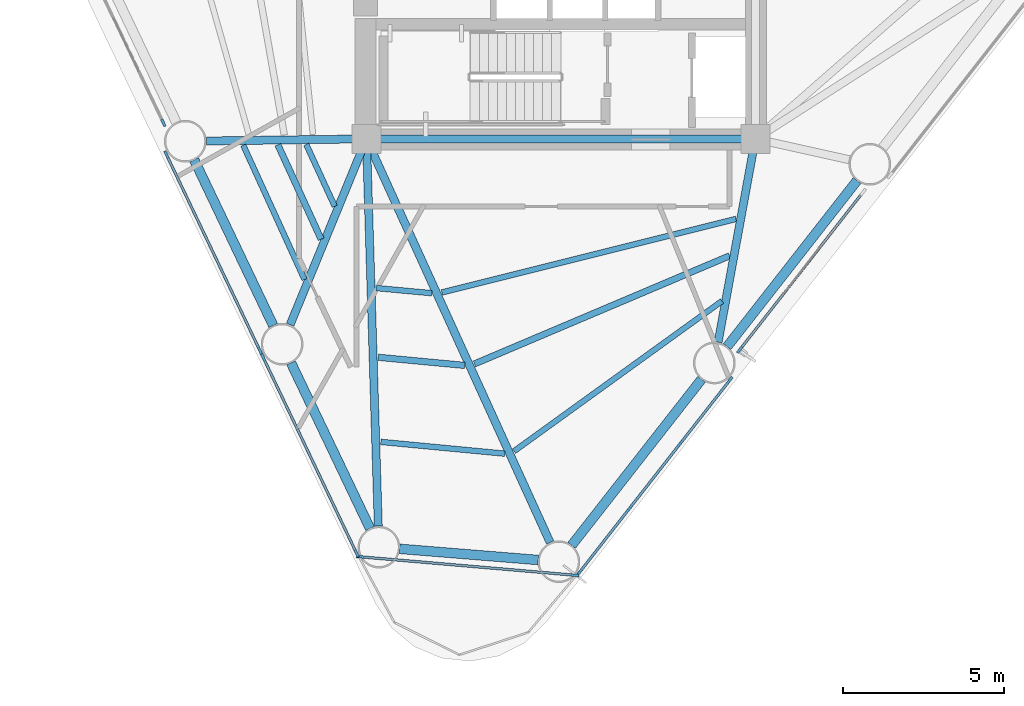
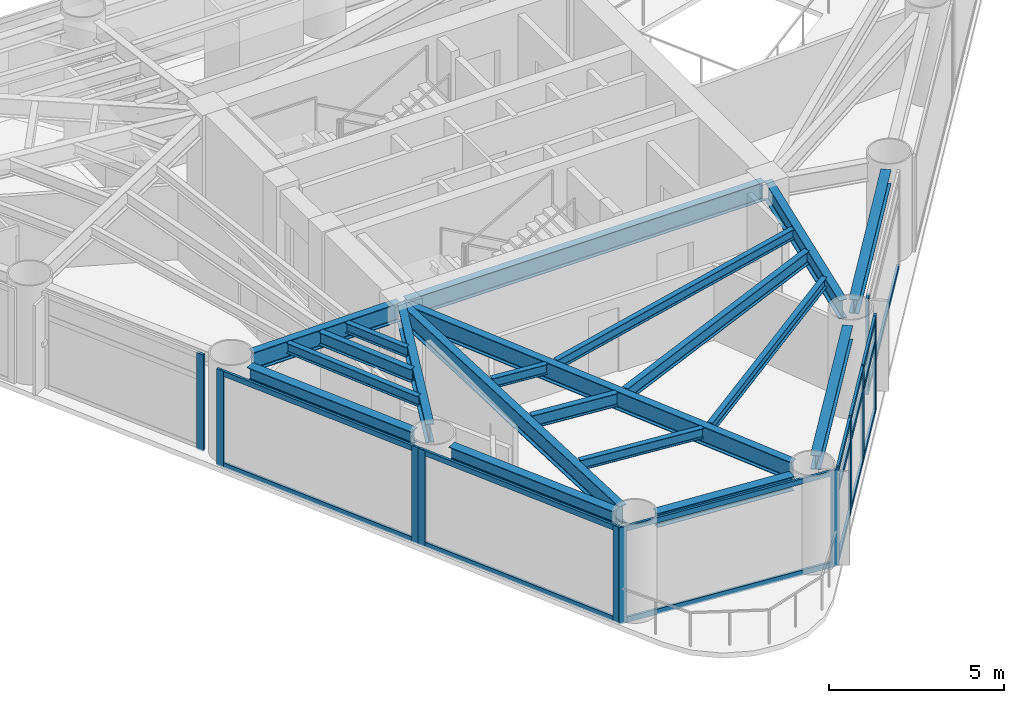
# One storey, part 2 of 10: 28 members, 20 beams, 6 elements without a shape of their own.
"""IFC4 building model written with IfcOpenShell, lengths in metres."""

from ifc_helpers import new_model, si_unit, direction, frame, origin, origin_2d, place, context, subcontext, project, spatial, rectangle, i_section, extrude, source, transform, mapped, material, layer, layer_set, material_profile, profile_set, type_object, element, aggregate, save


model = new_model("IFC4")

# Units and contexts
model_context = context("Model", 3, precision=1e-05, world=origin(), true_north=direction((0.0, 1.0)))
body_context = subcontext(model_context, "Body", "Model", "MODEL_VIEW")
ifc_project = project(units=[si_unit("LENGTHUNIT", "METRE"), si_unit("AREAUNIT", "SQUARE_METRE"), si_unit("VOLUMEUNIT", "CUBIC_METRE"), si_unit("PLANEANGLEUNIT", "RADIAN"), si_unit("MASSUNIT", "GRAM", prefix="KILO")], contexts=[model_context])

# Site, building, storey
site_placement = place(None, origin())
site = spatial("IfcSite", under=ifc_project, at=site_placement, CompositionType="ELEMENT")
building_placement = place(site_placement, origin())
building = spatial("IfcBuilding", under=site, at=building_placement, Name="Yunling Apex Tower", CompositionType="ELEMENT")
storey_placement = place(building_placement, frame((0.0, 0.0, 139.85009765625)))
storey = spatial("IfcBuildingStorey", under=building, at=storey_placement, Name="L34", CompositionType="ELEMENT", Elevation=139.85009765625)

# Beams
ifc_material_1 = material(Name="Steel Q355B", Category="steel")
ifc_material_profile_1 = material_profile(ifc_material_1, i_section(OverallWidth=0.25, OverallDepth=0.64990234375, WebThickness=0.011962890625, FlangeThickness=0.02001953125, FilletRadius=0.02392578125, at=origin_2d()))
ifc_profile_set_1 = profile_set([ifc_material_profile_1], Name="Steel Q355B")
beam_type_1 = type_object("IfcBeamType", Name="BG-PRI-4", PredefinedType="USERDEFINED", material=ifc_profile_set_1)
shared_shape_1 = source(origin(), body_context, "Body", "SweptSolid", [
    extrude(i_section(OverallWidth=0.25, OverallDepth=0.64990234375, WebThickness=0.011962890625, FlangeThickness=0.02001953125, FilletRadius=0.02392578125, at=origin_2d()), origin(), (0.0, 0.0, 1.0), 11.7998046875),
])
beam_1_placement = place(storey_placement, frame((-5.89990234375, -5.5, 2.94482421875), z_axis=(1.0, 0.0, 0.0), x_axis=(0.0, 1.0, 0.0)))
element("IfcBeam", 1, at=beam_1_placement, inside=storey, type_object=beam_type_1, Name="L34 Core Ring Tie Beam 1", ObjectType="GIRDER", PredefinedType="USERDEFINED", context=body_context, shape_type="MappedRepresentation", body=[
    mapped(shared_shape_1, transform((0.0, 0.0, 0.0), scale=1.0)),
])
ifc_material_profile_2 = material_profile(ifc_material_1, i_section(OverallWidth=0.300048828125, OverallDepth=0.489990234375, WebThickness=0.010986328125, FlangeThickness=0.01806640625, FilletRadius=0.02197265625, at=origin_2d()))
ifc_profile_set_2 = profile_set([ifc_material_profile_2], Name="Steel Q355B")
beam_type_2 = type_object("IfcBeamType", Name="BP-SPN-2", PredefinedType="SPANDREL", material=ifc_profile_set_2)
shared_shape_2 = source(origin(), body_context, "Body", "SweptSolid", [
    extrude(i_section(OverallWidth=0.300048828125, OverallDepth=0.489990234375, WebThickness=0.010986328125, FlangeThickness=0.01806640625, FilletRadius=0.02197265625, at=origin_2d()), origin(), (0.0, 0.0, 1.0), 6.562255859375),
])
for number, where, z_axis, x_axis, name in (
    (2, (0.332763671875, -18.147216796875, 3.02490234375), (0.616214963059, 0.787578008392, 0.0), (-0.787578008392, 0.616214963059, 0.0), "L34 Perimeter Spandrel Beam 1"),
    (3, (5.170166015625, -11.964599609375, 3.02490234375), (0.616214963059, 0.787578008392, 0.0), (-0.787578008392, 0.616214963059, 0.0), "L34 Perimeter Spandrel Beam 2"),
):
    element("IfcBeam", number, at=place(storey_placement, frame(where, z_axis=z_axis, x_axis=x_axis)), inside=storey, type_object=beam_type_2, Name=name, PredefinedType="SPANDREL", context=body_context, shape_type="MappedRepresentation", body=[
        mapped(shared_shape_2, transform((0.0, 0.0, 0.0), scale=1.0)),
    ])
shared_shape_3 = source(origin(), body_context, "Body", "SweptSolid", [
    extrude(i_section(OverallWidth=0.300048828125, OverallDepth=0.489990234375, WebThickness=0.010986328125, FlangeThickness=0.01806640625, FilletRadius=0.02197265625, at=origin_2d()), origin(), (0.0, 0.0, 1.0), 5.707763671875),
])
for number, where, z_axis, x_axis, name in (
    (4, (-11.407958984375, -6.15478515625, 3.02490234375), (0.430522919645, -0.902579645051, 0.0), (0.902579645051, 0.430522919645, 0.0), "L34 Perimeter Spandrel Beam 13"),
    (5, (-8.396240234375, -12.468994140625, 3.02490234375), (0.430522919645, -0.902579645051, 0.0), (0.902579645051, 0.430522919645, 0.0), "L34 Perimeter Spandrel Beam 14"),
):
    element("IfcBeam", number, at=place(storey_placement, frame(where, z_axis=z_axis, x_axis=x_axis)), inside=storey, type_object=beam_type_2, Name=name, PredefinedType="SPANDREL", context=body_context, shape_type="MappedRepresentation", body=[
        mapped(shared_shape_3, transform((0.0, 0.0, 0.0), scale=1.0)),
    ])
shared_shape_4 = source(origin(), body_context, "Body", "SweptSolid", [
    extrude(i_section(OverallWidth=0.300048828125, OverallDepth=0.489990234375, WebThickness=0.010986328125, FlangeThickness=0.01806640625, FilletRadius=0.02197265625, at=origin_2d()), origin(), (0.0, 0.0, 1.0), 4.328369140625),
])
beam_2_placement = place(storey_placement, frame((-5.02001953125, -18.25390625, 3.02490234375), z_axis=(0.996750747621, -0.08054779399, 0.0), x_axis=(0.08054779399, 0.996750747621, 0.0)))
element("IfcBeam", 6, at=beam_2_placement, inside=storey, type_object=beam_type_2, Name="L34 Perimeter Spandrel Beam 15", PredefinedType="SPANDREL", context=body_context, shape_type="MappedRepresentation", body=[
    mapped(shared_shape_4, transform((0.0, 0.0, 0.0), scale=1.0)),
])
shared_shape_5 = source(origin(), body_context, "Body", "SweptSolid", [
    extrude(i_section(OverallWidth=0.25, OverallDepth=0.64990234375, WebThickness=0.011962890625, FlangeThickness=0.02001953125, FilletRadius=0.02392578125, at=origin_2d()), origin(), (0.0, 0.0, 1.0), 13.714599609375),
])
beam_3_placement = place(storey_placement, frame((-0.33642578125, -18.0556640625, 2.94482421875), z_axis=(-0.414187834577, 0.910191429145, 0.0), x_axis=(-0.910191429145, -0.414187834577, 0.0)))
element("IfcBeam", 7, at=beam_3_placement, inside=storey, type_object=beam_type_1, Name="L34 Radial Primary Girder R01", ObjectType="GIRDER", PredefinedType="USERDEFINED", context=body_context, shape_type="MappedRepresentation", body=[
    mapped(shared_shape_5, transform((0.0, 0.0, 0.0), scale=1.0)),
])
shared_shape_6 = source(origin(), body_context, "Body", "SweptSolid", [
    extrude(i_section(OverallWidth=0.25, OverallDepth=0.64990234375, WebThickness=0.011962890625, FlangeThickness=0.02001953125, FilletRadius=0.02392578125, at=origin_2d()), origin(), (0.0, 0.0, 1.0), 6.349853515625),
])
beam_4_placement = place(storey_placement, frame((4.891845703125, -11.82470703125, 2.94482421875), z_axis=(0.18012699938, 0.983643362248, 0.0), x_axis=(-0.983643362248, 0.18012699938, 0.0)))
element("IfcBeam", 8, at=beam_4_placement, inside=storey, type_object=beam_type_1, Name="L34 Radial Primary Girder R02", ObjectType="GIRDER", PredefinedType="USERDEFINED", context=body_context, shape_type="MappedRepresentation", body=[
    mapped(shared_shape_6, transform((0.0, 0.0, 0.0), scale=1.0)),
])
shared_shape_7 = source(origin(), body_context, "Body", "SweptSolid", [
    extrude(i_section(OverallWidth=0.25, OverallDepth=0.64990234375, WebThickness=0.011962890625, FlangeThickness=0.02001953125, FilletRadius=0.02392578125, at=origin_2d()), origin(), (0.0, 0.0, 1.0), 4.89794921875),
])
beam_5_placement = place(storey_placement, frame((-11.02734375, -5.56494140625, 2.94482421875), z_axis=(0.999914718433, 0.0130597037, 0.0), x_axis=(-0.0130597037, 0.999914718433, 0.0)))
element("IfcBeam", 9, at=beam_5_placement, inside=storey, type_object=beam_type_1, Name="L34 Radial Primary Girder R13", ObjectType="GIRDER", PredefinedType="USERDEFINED", context=body_context, shape_type="MappedRepresentation", body=[
    mapped(shared_shape_7, transform((0.0, 0.0, 0.0), scale=1.0)),
])
shared_shape_8 = source(origin(), body_context, "Body", "SweptSolid", [
    extrude(i_section(OverallWidth=0.25, OverallDepth=0.64990234375, WebThickness=0.011962890625, FlangeThickness=0.02001953125, FilletRadius=0.02392578125, at=origin_2d()), origin(), (0.0, 0.0, 1.0), 6.16748046875),
])
beam_6_placement = place(storey_placement, frame((-8.423583984375, -11.279052734375, 2.94482421875), z_axis=(0.379933370098, 0.925013856267, 0.0), x_axis=(-0.925013856267, 0.379933370098, 0.0)))
element("IfcBeam", 10, at=beam_6_placement, inside=storey, type_object=beam_type_1, Name="L34 Radial Primary Girder R14", ObjectType="GIRDER", PredefinedType="USERDEFINED", context=body_context, shape_type="MappedRepresentation", body=[
    mapped(shared_shape_8, transform((0.0, 0.0, 0.0), scale=1.0)),
])
shared_shape_9 = source(origin(), body_context, "Body", "SweptSolid", [
    extrude(i_section(OverallWidth=0.25, OverallDepth=0.64990234375, WebThickness=0.011962890625, FlangeThickness=0.02001953125, FilletRadius=0.02392578125, at=origin_2d()), origin(), (0.0, 0.0, 1.0), 11.9697265625),
])
beam_7_placement = place(storey_placement, frame((-5.681884765625, -17.544189453125, 2.94482421875), z_axis=(-0.030554037514, 0.999533116406, 0.0), x_axis=(-0.999533116406, -0.030554037514, 0.0)))
element("IfcBeam", 11, at=beam_7_placement, inside=storey, type_object=beam_type_1, Name="L34 Radial Primary Girder R15", ObjectType="GIRDER", PredefinedType="USERDEFINED", context=body_context, shape_type="MappedRepresentation", body=[
    mapped(shared_shape_9, transform((0.0, 0.0, 0.0), scale=1.0)),
])
ifc_material_profile_3 = material_profile(ifc_material_1, i_section(OverallWidth=0.199951171875, OverallDepth=0.449951171875, WebThickness=0.009033203125, FlangeThickness=0.013916015625, FilletRadius=0.01806640625, at=origin_2d()))
ifc_profile_set_3 = profile_set([ifc_material_profile_3], Name="Steel Q355B")
beam_type_3 = type_object("IfcBeamType", Name="BS-SEC-3", PredefinedType="BEAM", material=ifc_profile_set_3)
shared_shape_10 = source(origin(), body_context, "Body", "SweptSolid", [
    extrude(i_section(OverallWidth=0.199951171875, OverallDepth=0.449951171875, WebThickness=0.009033203125, FlangeThickness=0.013916015625, FilletRadius=0.01806640625, at=origin_2d()), origin(), (0.0, 0.0, 1.0), 8.618896484375),
])
beam_8_placement = place(storey_placement, frame((-2.6884765625, -12.500732421875, 3.044921875), z_axis=(0.920793969751, 0.390049311332, 0.0), x_axis=(-0.390049311332, 0.920793969751, 0.0)))
element("IfcBeam", 12, at=beam_8_placement, inside=storey, type_object=beam_type_3, Name="L34 Composite Floor Beam BS-1", PredefinedType="BEAM", context=body_context, shape_type="MappedRepresentation", body=[
    mapped(shared_shape_10, transform((0.0, 0.0, 0.0), scale=1.0)),
])
ifc_material_profile_4 = material_profile(ifc_material_1, i_section(OverallWidth=0.175048828125, OverallDepth=0.35009765625, WebThickness=0.007080078125, FlangeThickness=0.010986328125, FilletRadius=0.013916015625, at=origin_2d()))
ifc_profile_set_4 = profile_set([ifc_material_profile_4], Name="Steel Q355B")
beam_type_4 = type_object("IfcBeamType", Name="BJ-JST-1", PredefinedType="JOIST", material=ifc_profile_set_4)
shared_shape_11 = source(origin(), body_context, "Body", "SweptSolid", [
    extrude(i_section(OverallWidth=0.175048828125, OverallDepth=0.35009765625, WebThickness=0.007080078125, FlangeThickness=0.010986328125, FilletRadius=0.013916015625, at=origin_2d()), origin(), (0.0, 0.0, 1.0), 7.98046875),
])
beam_9_placement = place(storey_placement, frame((-1.45654296875, -15.2158203125, 3.094970703125), z_axis=(0.81075666384, 0.585383320602, 0.0), x_axis=(-0.585383320602, 0.81075666384, 0.0)))
element("IfcBeam", 13, at=beam_9_placement, inside=storey, type_object=beam_type_4, Name="L34 Composite Floor Joist BJ1-1", PredefinedType="JOIST", context=body_context, shape_type="MappedRepresentation", body=[
    mapped(shared_shape_11, transform((0.0, 0.0, 0.0), scale=1.0)),
])
shared_shape_12 = source(origin(), body_context, "Body", "SweptSolid", [
    extrude(i_section(OverallWidth=0.175048828125, OverallDepth=0.35009765625, WebThickness=0.007080078125, FlangeThickness=0.010986328125, FilletRadius=0.013916015625, at=origin_2d()), origin(), (0.0, 0.0, 1.0), 9.430419921875),
])
beam_10_placement = place(storey_placement, frame((-3.703125, -10.277587890625, 3.094970703125), z_axis=(0.970157726952, 0.242474709682, 0.0), x_axis=(-0.242474709682, 0.970157726952, 0.0)))
element("IfcBeam", 14, at=beam_10_placement, inside=storey, type_object=beam_type_4, Name="L34 Composite Floor Joist BJ3-1", PredefinedType="JOIST", context=body_context, shape_type="MappedRepresentation", body=[
    mapped(shared_shape_12, transform((0.0, 0.0, 0.0), scale=1.0)),
])
shared_shape_13 = source(origin(), body_context, "Body", "SweptSolid", [
    extrude(i_section(OverallWidth=0.199951171875, OverallDepth=0.449951171875, WebThickness=0.009033203125, FlangeThickness=0.013916015625, FilletRadius=0.01806640625, at=origin_2d()), origin(), (0.0, 0.0, 1.0), 3.234619140625),
])
beam_11_placement = place(storey_placement, frame((-8.805908203125, -5.682373046875, 3.044921875), z_axis=(0.416337611841, -0.909210092864, 0.0), x_axis=(0.909210092864, 0.416337611841, 0.0)))
element("IfcBeam", 15, at=beam_11_placement, inside=storey, type_object=beam_type_3, Name="L34 Composite Floor Beam BS-13", PredefinedType="BEAM", context=body_context, shape_type="MappedRepresentation", body=[
    mapped(shared_shape_13, transform((0.0, 0.0, 0.0), scale=1.0)),
])
shared_shape_14 = source(origin(), body_context, "Body", "SweptSolid", [
    extrude(i_section(OverallWidth=0.175048828125, OverallDepth=0.35009765625, WebThickness=0.007080078125, FlangeThickness=0.010986328125, FilletRadius=0.013916015625, at=origin_2d()), origin(), (0.0, 0.0, 1.0), 4.596923828125),
])
beam_12_placement = place(storey_placement, frame((-9.883544921875, -5.696533203125, 3.094970703125), z_axis=(0.415258909569, -0.909703269217, 0.0), x_axis=(0.909703269217, 0.415258909569, 0.0)))
element("IfcBeam", 16, at=beam_12_placement, inside=storey, type_object=beam_type_4, Name="L34 Composite Floor Joist BJ1-13", PredefinedType="JOIST", context=body_context, shape_type="MappedRepresentation", body=[
    mapped(shared_shape_14, transform((0.0, 0.0, 0.0), scale=1.0)),
])
shared_shape_15 = source(origin(), body_context, "Body", "SweptSolid", [
    extrude(i_section(OverallWidth=0.175048828125, OverallDepth=0.35009765625, WebThickness=0.007080078125, FlangeThickness=0.010986328125, FilletRadius=0.013916015625, at=origin_2d()), origin(), (0.0, 0.0, 1.0), 2.1201171875),
])
beam_13_placement = place(storey_placement, frame((-7.924072265625, -5.670654296875, 3.094970703125), z_axis=(0.418101376265, -0.908400373825, 0.0), x_axis=(0.908400373825, 0.418101376265, 0.0)))
element("IfcBeam", 17, at=beam_13_placement, inside=storey, type_object=beam_type_4, Name="L34 Composite Floor Joist BJ3-13", PredefinedType="JOIST", context=body_context, shape_type="MappedRepresentation", body=[
    mapped(shared_shape_15, transform((0.0, 0.0, 0.0), scale=1.0)),
])
shared_shape_16 = source(origin(), body_context, "Body", "SweptSolid", [
    extrude(i_section(OverallWidth=0.199951171875, OverallDepth=0.449951171875, WebThickness=0.009033203125, FlangeThickness=0.013916015625, FilletRadius=0.01806640625, at=origin_2d()), origin(), (0.0, 0.0, 1.0), 2.700439453125),
])
beam_14_placement = place(storey_placement, frame((-5.68359375, -12.294921875, 3.044921875), z_axis=(0.995595280091, -0.09375520391, 0.0), x_axis=(0.09375520391, 0.995595280091, 0.0)))
element("IfcBeam", 18, at=beam_14_placement, inside=storey, type_object=beam_type_3, Name="L34 Composite Floor Beam BS-15", PredefinedType="BEAM", context=body_context, shape_type="MappedRepresentation", body=[
    mapped(shared_shape_16, transform((0.0, 0.0, 0.0), scale=1.0)),
])
shared_shape_17 = source(origin(), body_context, "Body", "SweptSolid", [
    extrude(i_section(OverallWidth=0.175048828125, OverallDepth=0.35009765625, WebThickness=0.007080078125, FlangeThickness=0.010986328125, FilletRadius=0.013916015625, at=origin_2d()), origin(), (0.0, 0.0, 1.0), 3.874755859375),
])
beam_15_placement = place(storey_placement, frame((-5.60302734375, -14.92724609375, 3.094970703125), z_axis=(0.995505944035, -0.094699078094, 0.0), x_axis=(0.094699078094, 0.995505944035, 0.0)))
element("IfcBeam", 19, at=beam_15_placement, inside=storey, type_object=beam_type_4, Name="L34 Composite Floor Joist BJ1-15", PredefinedType="JOIST", context=body_context, shape_type="MappedRepresentation", body=[
    mapped(shared_shape_17, transform((0.0, 0.0, 0.0), scale=1.0)),
])
shared_shape_18 = source(origin(), body_context, "Body", "SweptSolid", [
    extrude(i_section(OverallWidth=0.175048828125, OverallDepth=0.35009765625, WebThickness=0.007080078125, FlangeThickness=0.010986328125, FilletRadius=0.013916015625, at=origin_2d()), origin(), (0.0, 0.0, 1.0), 1.739013671875),
])
beam_16_placement = place(storey_placement, frame((-5.749267578125, -10.14111328125, 3.094970703125), z_axis=(0.995737570839, -0.092231719166, 0.0), x_axis=(0.092231719166, 0.995737570839, 0.0)))
element("IfcBeam", 20, at=beam_16_placement, inside=storey, type_object=beam_type_4, Name="L34 Composite Floor Joist BJ3-15", PredefinedType="JOIST", context=body_context, shape_type="MappedRepresentation", body=[
    mapped(shared_shape_18, transform((0.0, 0.0, 0.0), scale=1.0)),
])

# Curtain wall, members
ifc_material_2 = material(Name="Bronze anodised aluminium", Category="aluminium")
ifc_layer = layer(ifc_material_2, 0.239990234375)
ifc_layer_set = layer_set([ifc_layer], Name="Bronze anodised aluminium")
curtain_wall_type = type_object("IfcCurtainWallType", Name="CW-SYS-3", PredefinedType="NOTDEFINED", material=ifc_layer_set)
curtain_wall_1_placement = place(storey_placement, origin())
curtain_wall_1 = element("IfcCurtainWall", 21, at=curtain_wall_1_placement, inside=storey, type_object=curtain_wall_type, Name="CW-L34-F1-B1", PredefinedType="NOTDEFINED")
ifc_material_profile_5 = material_profile(ifc_material_2, rectangle(XDim=0.080078125, YDim=0.18505859375, at=origin_2d()))
ifc_profile_set_5 = profile_set([ifc_material_profile_5], Name="Bronze anodised aluminium")
member_type_1 = type_object("IfcMemberType", Name="CW-TRN-3", PredefinedType="USERDEFINED", material=ifc_profile_set_5)
shared_shape_19 = source(origin(), body_context, "Body", "SweptSolid", [
    extrude(rectangle(XDim=0.080078125, YDim=0.18505859375, at=origin_2d()), origin(), (0.0, 0.0, 1.0), 2.451416015625),
])
member_1_placement = place(storey_placement, frame((0.59130859375, -18.96923828125, 0.039794921875), z_axis=(0.616192781155, 0.787595363402, 0.0), x_axis=(-0.787595363402, 0.616192781155, 0.0)))
member_1 = element("IfcMember", 22, at=member_1_placement, type_object=member_type_1, Name="CW-SYS-3 transom 1.1", ObjectType="TRANSOM", PredefinedType="USERDEFINED", context=body_context, shape_type="MappedRepresentation", body=[
    mapped(shared_shape_19, transform((0.0, 0.0, 0.0), scale=1.0)),
])
member_2_placement = place(storey_placement, frame((0.59130859375, -18.96923828125, 2.485107421875), z_axis=(0.616192781155, 0.787595363402, 0.0), x_axis=(-0.787595363402, 0.616192781155, 0.0)))
member_2 = element("IfcMember", 23, at=member_2_placement, type_object=member_type_1, Name="CW-SYS-3 transom 1.2", ObjectType="TRANSOM", PredefinedType="USERDEFINED", context=body_context, shape_type="MappedRepresentation", body=[
    mapped(shared_shape_19, transform((0.0, 0.0, 0.0), scale=1.0)),
])
member_3_placement = place(storey_placement, frame((0.59130859375, -18.96923828125, 3.22998046875), z_axis=(0.616192781155, 0.787595363402, 0.0), x_axis=(-0.787595363402, 0.616192781155, 0.0)))
member_3 = element("IfcMember", 24, at=member_3_placement, type_object=member_type_1, Name="CW-SYS-3 transom 1.3", ObjectType="TRANSOM", PredefinedType="USERDEFINED", context=body_context, shape_type="MappedRepresentation", body=[
    mapped(shared_shape_19, transform((0.0, 0.0, 0.0), scale=1.0)),
])
member_4_placement = place(storey_placement, frame((3.725830078125, -14.962890625, 0.039794921875), z_axis=(0.616192781155, 0.787595363402, 0.0), x_axis=(-0.787595363402, 0.616192781155, 0.0)))
member_4 = element("IfcMember", 25, at=member_4_placement, type_object=member_type_1, Name="CW-SYS-3 transom 3.1", ObjectType="TRANSOM", PredefinedType="USERDEFINED", context=body_context, shape_type="MappedRepresentation", body=[
    mapped(shared_shape_19, transform((0.0, 0.0, 0.0), scale=1.0)),
])
member_5_placement = place(storey_placement, frame((3.725830078125, -14.962890625, 2.485107421875), z_axis=(0.616192781155, 0.787595363402, 0.0), x_axis=(-0.787595363402, 0.616192781155, 0.0)))
member_5 = element("IfcMember", 26, at=member_5_placement, type_object=member_type_1, Name="CW-SYS-3 transom 3.2", ObjectType="TRANSOM", PredefinedType="USERDEFINED", context=body_context, shape_type="MappedRepresentation", body=[
    mapped(shared_shape_19, transform((0.0, 0.0, 0.0), scale=1.0)),
])
member_6_placement = place(storey_placement, frame((3.725830078125, -14.962890625, 3.22998046875), z_axis=(0.616192781155, 0.787595363402, 0.0), x_axis=(-0.787595363402, 0.616192781155, 0.0)))
member_6 = element("IfcMember", 27, at=member_6_placement, type_object=member_type_1, Name="CW-SYS-3 transom 3.3", ObjectType="TRANSOM", PredefinedType="USERDEFINED", context=body_context, shape_type="MappedRepresentation", body=[
    mapped(shared_shape_19, transform((0.0, 0.0, 0.0), scale=1.0)),
])
shared_shape_20 = source(origin(), body_context, "Body", "SweptSolid", [
    extrude(rectangle(XDim=0.080078125, YDim=0.18505859375, at=origin_2d()), origin(), (0.0, 0.0, 1.0), 2.491455078125),
])
member_7_placement = place(storey_placement, frame((2.146240234375, -16.981689453125, 0.039794921875), z_axis=(0.616197277936, 0.787591845225, 0.0), x_axis=(-0.787591845225, 0.616197277936, 0.0)))
member_7 = element("IfcMember", 28, at=member_7_placement, type_object=member_type_1, Name="CW-SYS-3 transom 2.1", ObjectType="TRANSOM", PredefinedType="USERDEFINED", context=body_context, shape_type="MappedRepresentation", body=[
    mapped(shared_shape_20, transform((0.0, 0.0, 0.0), scale=1.0)),
])
member_8_placement = place(storey_placement, frame((2.146240234375, -16.981689453125, 2.485107421875), z_axis=(0.616197277936, 0.787591845225, 0.0), x_axis=(-0.787591845225, 0.616197277936, 0.0)))
member_8 = element("IfcMember", 29, at=member_8_placement, type_object=member_type_1, Name="CW-SYS-3 transom 2.2", ObjectType="TRANSOM", PredefinedType="USERDEFINED", context=body_context, shape_type="MappedRepresentation", body=[
    mapped(shared_shape_20, transform((0.0, 0.0, 0.0), scale=1.0)),
])
member_9_placement = place(storey_placement, frame((2.146240234375, -16.981689453125, 3.22998046875), z_axis=(0.616197277936, 0.787591845225, 0.0), x_axis=(-0.787591845225, 0.616197277936, 0.0)))
member_9 = element("IfcMember", 30, at=member_9_placement, type_object=member_type_1, Name="CW-SYS-3 transom 2.3", ObjectType="TRANSOM", PredefinedType="USERDEFINED", context=body_context, shape_type="MappedRepresentation", body=[
    mapped(shared_shape_20, transform((0.0, 0.0, 0.0), scale=1.0)),
])

# Curtain wall, member
curtain_wall_2_placement = place(storey_placement, origin())
curtain_wall_2 = element("IfcCurtainWall", 31, at=curtain_wall_2_placement, inside=storey, type_object=curtain_wall_type, Name="CW-L34-F1-B2", PredefinedType="NOTDEFINED")
shared_shape_21 = source(origin(), body_context, "Body", "SweptSolid", [
    extrude(rectangle(XDim=0.080078125, YDim=0.18505859375, at=origin_2d()), origin(), (0.0, 0.0, 1.0), 6.158203125),
])
member_10_placement = place(storey_placement, frame((5.5859375, -12.03369140625, 0.039794921875), z_axis=(0.616202427613, 0.787587816185, 0.0), x_axis=(-0.787587816185, 0.616202427613, 0.0)))
member_10 = element("IfcMember", 32, at=member_10_placement, type_object=member_type_1, Name="CW-SYS-3 transom 1.1", ObjectType="TRANSOM", PredefinedType="USERDEFINED", context=body_context, shape_type="MappedRepresentation", body=[
    mapped(shared_shape_21, transform((0.0, 0.0, 0.0), scale=1.0)),
])

# Curtain wall, members
curtain_wall_3_placement = place(storey_placement, origin())
curtain_wall_3 = element("IfcCurtainWall", 33, at=curtain_wall_3_placement, inside=storey, type_object=curtain_wall_type, Name="CW-L34-F3-B3", PredefinedType="NOTDEFINED")
shared_shape_22 = source(origin(), body_context, "Body", "SweptSolid", [
    extrude(rectangle(XDim=0.080078125, YDim=0.18505859375, at=origin_2d()), origin(), (0.0, 0.0, 1.0), 6.68359375),
])
member_11_placement = place(storey_placement, frame((-12.2587890625, -6.02001953125, 0.039794921875), z_axis=(0.430493585609, -0.902593636555, 0.0), x_axis=(0.902593636555, 0.430493585609, 0.0)))
member_11 = element("IfcMember", 34, at=member_11_placement, type_object=member_type_1, Name="CW-SYS-3 transom 1.1", ObjectType="TRANSOM", PredefinedType="USERDEFINED", context=body_context, shape_type="MappedRepresentation", body=[
    mapped(shared_shape_22, transform((0.0, 0.0, 0.0), scale=1.0)),
])
member_12_placement = place(storey_placement, frame((-12.2587890625, -6.02001953125, 3.22998046875), z_axis=(0.430493585609, -0.902593636555, 0.0), x_axis=(0.902593636555, 0.430493585609, 0.0)))
member_12 = element("IfcMember", 35, at=member_12_placement, type_object=member_type_1, Name="CW-SYS-3 transom 1.2", ObjectType="TRANSOM", PredefinedType="USERDEFINED", context=body_context, shape_type="MappedRepresentation", body=[
    mapped(shared_shape_22, transform((0.0, 0.0, 0.0), scale=1.0)),
])

curtain_wall_4_placement = place(storey_placement, origin())
curtain_wall_4 = element("IfcCurtainWall", 36, at=curtain_wall_4_placement, inside=storey, type_object=curtain_wall_type, Name="CW-L34-F3-B4", PredefinedType="NOTDEFINED")
member_13_placement = place(storey_placement, frame((-9.2470703125, -12.334228515625, 0.039794921875), z_axis=(0.430493585609, -0.902593636555, 0.0), x_axis=(0.902593636555, 0.430493585609, 0.0)))
member_13 = element("IfcMember", 37, at=member_13_placement, type_object=member_type_1, Name="CW-SYS-3 transom 1.1", ObjectType="TRANSOM", PredefinedType="USERDEFINED", context=body_context, shape_type="MappedRepresentation", body=[
    mapped(shared_shape_22, transform((0.0, 0.0, 0.0), scale=1.0)),
])
member_14_placement = place(storey_placement, frame((-9.2470703125, -12.334228515625, 3.22998046875), z_axis=(0.430493585609, -0.902593636555, 0.0), x_axis=(0.902593636555, 0.430493585609, 0.0)))
member_14 = element("IfcMember", 38, at=member_14_placement, type_object=member_type_1, Name="CW-SYS-3 transom 1.2", ObjectType="TRANSOM", PredefinedType="USERDEFINED", context=body_context, shape_type="MappedRepresentation", body=[
    mapped(shared_shape_22, transform((0.0, 0.0, 0.0), scale=1.0)),
])

curtain_wall_5_placement = place(storey_placement, origin())
curtain_wall_5 = element("IfcCurtainWall", 39, at=curtain_wall_5_placement, inside=storey, type_object=curtain_wall_type, Name="CW-L34-CRN3", PredefinedType="NOTDEFINED")
shared_shape_23 = source(origin(), body_context, "Body", "SweptSolid", [
    extrude(rectangle(XDim=0.080078125, YDim=0.18505859375, at=origin_2d()), origin(), (0.0, 0.0, 1.0), 6.63720703125),
])
member_15_placement = place(storey_placement, frame((-6.208984375, -18.50537109375, 0.039794921875), z_axis=(0.996333043608, -0.085559723083, 0.0), x_axis=(0.085559723083, 0.996333043608, 0.0)))
member_15 = element("IfcMember", 40, at=member_15_placement, type_object=member_type_1, Name="CW-SYS-3 transom 1.1", ObjectType="TRANSOM", PredefinedType="USERDEFINED", context=body_context, shape_type="MappedRepresentation", body=[
    mapped(shared_shape_23, transform((0.0, 0.0, 0.0), scale=1.0)),
])
member_16_placement = place(storey_placement, frame((-6.208984375, -18.50537109375, 3.22998046875), z_axis=(0.996333043608, -0.085559723083, 0.0), x_axis=(0.085559723083, 0.996333043608, 0.0)))
member_16 = element("IfcMember", 41, at=member_16_placement, type_object=member_type_1, Name="CW-SYS-3 transom 1.2", ObjectType="TRANSOM", PredefinedType="USERDEFINED", context=body_context, shape_type="MappedRepresentation", body=[
    mapped(shared_shape_23, transform((0.0, 0.0, 0.0), scale=1.0)),
])

# Member
ifc_material_profile_6 = material_profile(ifc_material_2, rectangle(XDim=0.080078125, YDim=0.239990234375, at=origin_2d()))
ifc_profile_set_6 = profile_set([ifc_material_profile_6], Name="Bronze anodised aluminium")
member_type_2 = type_object("IfcMemberType", Name="CW-MUL-3", PredefinedType="MULLION", material=ifc_profile_set_6)
shared_shape_24 = source(origin(), body_context, "Body", "SweptSolid", [
    extrude(rectangle(XDim=0.080078125, YDim=0.239990234375, at=origin_2d()), origin(), (0.0, 0.0, 1.0), 3.369873046875),
])
member_17_placement = place(storey_placement, frame((0.569091796875, -18.99755859375, -0.050048828125), z_axis=(0.0, 0.0, 1.0), x_axis=(-0.787583748686, 0.616207626377, 0.0)))
member_17 = element("IfcMember", 42, at=member_17_placement, type_object=member_type_2, Name="CW-SYS-3 mullion 1", PredefinedType="MULLION", context=body_context, shape_type="MappedRepresentation", body=[
    mapped(shared_shape_24, transform((0.0, 0.0, 0.0), scale=1.0)),
])

member_18_placement = place(storey_placement, frame((2.1240234375, -17.01025390625, -0.050048828125), z_axis=(0.0, 0.0, 1.0), x_axis=(-0.787583748686, 0.616207626377, 0.0)))
member_18 = element("IfcMember", 43, at=member_18_placement, type_object=member_type_2, Name="CW-SYS-3 mullion 2", PredefinedType="MULLION", context=body_context, shape_type="MappedRepresentation", body=[
    mapped(shared_shape_24, transform((0.0, 0.0, 0.0), scale=1.0)),
])

member_19_placement = place(storey_placement, frame((3.70361328125, -14.9912109375, -0.050048828125), z_axis=(0.0, 0.0, 1.0), x_axis=(-0.787583748686, 0.616207626377, 0.0)))
member_19 = element("IfcMember", 44, at=member_19_placement, type_object=member_type_2, Name="CW-SYS-3 mullion 3", PredefinedType="MULLION", context=body_context, shape_type="MappedRepresentation", body=[
    mapped(shared_shape_24, transform((0.0, 0.0, 0.0), scale=1.0)),
])

member_20_placement = place(storey_placement, frame((5.258544921875, -13.00390625, -0.050048828125), z_axis=(0.0, 0.0, 1.0), x_axis=(-0.787583748686, 0.616207626377, 0.0)))
member_20 = element("IfcMember", 45, at=member_20_placement, type_object=member_type_2, Name="CW-SYS-3 mullion 4", PredefinedType="MULLION", context=body_context, shape_type="MappedRepresentation", body=[
    mapped(shared_shape_24, transform((0.0, 0.0, 0.0), scale=1.0)),
])

aggregate(curtain_wall_1, [member_17, member_18, member_19, member_20, member_1, member_2, member_3, member_7, member_8, member_9, member_4, member_5, member_6])

member_21_placement = place(storey_placement, frame((5.56396484375, -12.06201171875, -0.050048828125), z_axis=(0.0, 0.0, 1.0), x_axis=(-0.787590269126, 0.616199292419, 0.0)))
member_21 = element("IfcMember", 46, at=member_21_placement, type_object=member_type_2, Name="CW-SYS-3 mullion 1", PredefinedType="MULLION", context=body_context, shape_type="MappedRepresentation", body=[
    mapped(shared_shape_24, transform((0.0, 0.0, 0.0), scale=1.0)),
])

aggregate(curtain_wall_2, [member_21, member_10])

# Curtain wall, member
curtain_wall_6_placement = place(storey_placement, origin())
curtain_wall_6 = element("IfcCurtainWall", 47, at=curtain_wall_6_placement, inside=storey, type_object=curtain_wall_type, Name="CW-L34-F3-B2", PredefinedType="NOTDEFINED")
member_22_placement = place(storey_placement, frame((-12.36767578125, -5.001708984375, -0.050048828125), z_axis=(0.0, 0.0, 1.0), x_axis=(0.902579794247, 0.430522606859, 0.0)))
member_22 = element("IfcMember", 48, at=member_22_placement, type_object=member_type_2, Name="CW-SYS-3 mullion 2", PredefinedType="MULLION", context=body_context, shape_type="MappedRepresentation", body=[
    mapped(shared_shape_24, transform((0.0, 0.0, 0.0), scale=1.0)),
])
aggregate(curtain_wall_6, [member_22])

# Member
member_23_placement = place(storey_placement, frame((-12.274169921875, -5.987548828125, -0.050048828125), z_axis=(0.0, 0.0, 1.0), x_axis=(0.902593449526, 0.430493977743, 0.0)))
member_23 = element("IfcMember", 49, at=member_23_placement, type_object=member_type_2, Name="CW-SYS-3 mullion 1", PredefinedType="MULLION", context=body_context, shape_type="MappedRepresentation", body=[
    mapped(shared_shape_24, transform((0.0, 0.0, 0.0), scale=1.0)),
])

member_24_placement = place(storey_placement, frame((-9.365966796875, -12.085205078125, -0.050048828125), z_axis=(0.0, 0.0, 1.0), x_axis=(0.902593449526, 0.430493977743, 0.0)))
member_24 = element("IfcMember", 50, at=member_24_placement, type_object=member_type_2, Name="CW-SYS-3 mullion 2", PredefinedType="MULLION", context=body_context, shape_type="MappedRepresentation", body=[
    mapped(shared_shape_24, transform((0.0, 0.0, 0.0), scale=1.0)),
])

aggregate(curtain_wall_3, [member_23, member_24, member_11, member_12])

member_25_placement = place(storey_placement, frame((-9.2626953125, -12.3017578125, -0.050048828125), z_axis=(0.0, 0.0, 1.0), x_axis=(0.902585053788, 0.430511580192, 0.0)))
member_25 = element("IfcMember", 51, at=member_25_placement, type_object=member_type_2, Name="CW-SYS-3 mullion 1", PredefinedType="MULLION", context=body_context, shape_type="MappedRepresentation", body=[
    mapped(shared_shape_24, transform((0.0, 0.0, 0.0), scale=1.0)),
])

member_26_placement = place(storey_placement, frame((-6.354248046875, -18.399169921875, -0.050048828125), z_axis=(0.0, 0.0, 1.0), x_axis=(0.902585053788, 0.430511580192, 0.0)))
member_26 = element("IfcMember", 52, at=member_26_placement, type_object=member_type_2, Name="CW-SYS-3 mullion 2", PredefinedType="MULLION", context=body_context, shape_type="MappedRepresentation", body=[
    mapped(shared_shape_24, transform((0.0, 0.0, 0.0), scale=1.0)),
])

aggregate(curtain_wall_4, [member_25, member_26, member_13, member_14])

member_27_placement = place(storey_placement, frame((-6.24462890625, -18.50244140625, -0.050048828125), z_axis=(0.0, 0.0, 1.0), x_axis=(0.085550287883, 0.996333853808, 0.0)))
member_27 = element("IfcMember", 53, at=member_27_placement, type_object=member_type_2, Name="CW-SYS-3 mullion 1", PredefinedType="MULLION", context=body_context, shape_type="MappedRepresentation", body=[
    mapped(shared_shape_24, transform((0.0, 0.0, 0.0), scale=1.0)),
])

member_28_placement = place(storey_placement, frame((0.439697265625, -19.076171875, -0.050048828125), z_axis=(0.0, 0.0, 1.0), x_axis=(0.085550287883, 0.996333853808, 0.0)))
member_28 = element("IfcMember", 54, at=member_28_placement, type_object=member_type_2, Name="CW-SYS-3 mullion 2", PredefinedType="MULLION", context=body_context, shape_type="MappedRepresentation", body=[
    mapped(shared_shape_24, transform((0.0, 0.0, 0.0), scale=1.0)),
])

aggregate(curtain_wall_5, [member_27, member_28, member_15, member_16])

save(model, "model.ifc")
